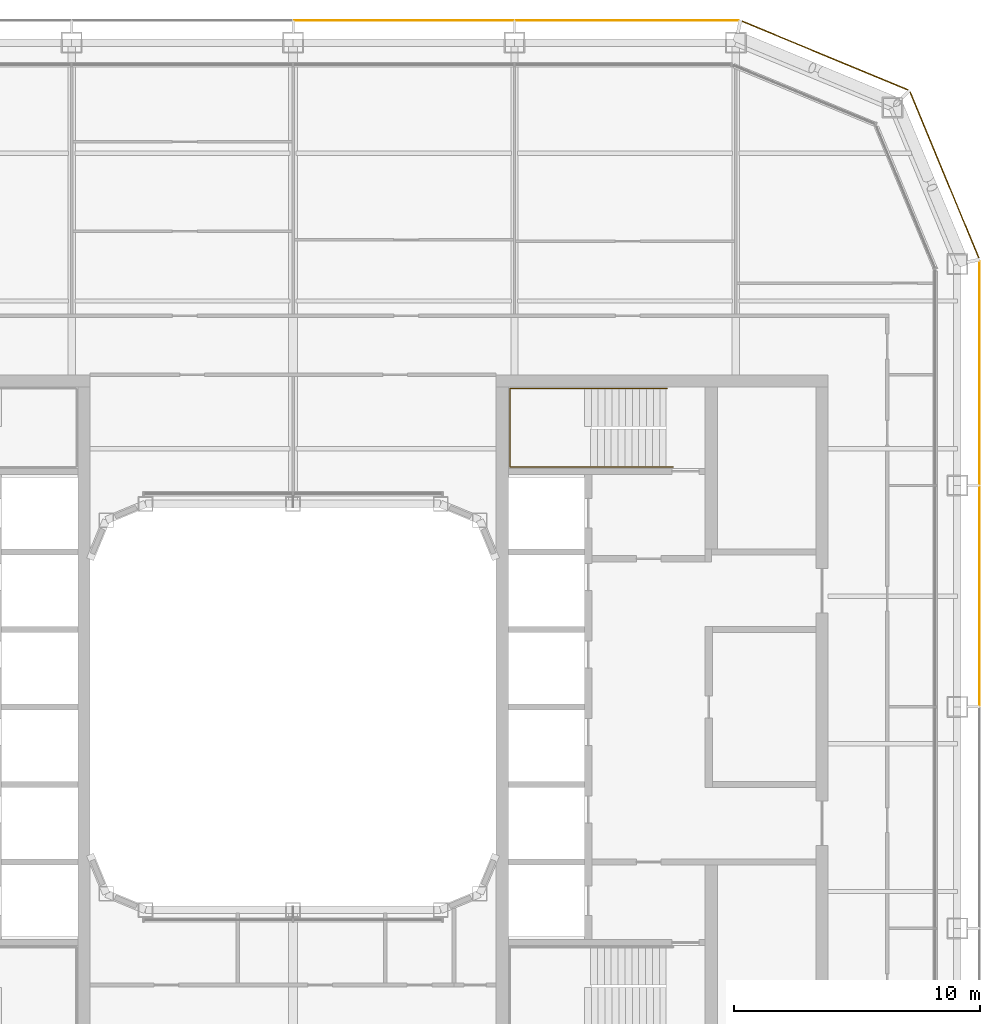
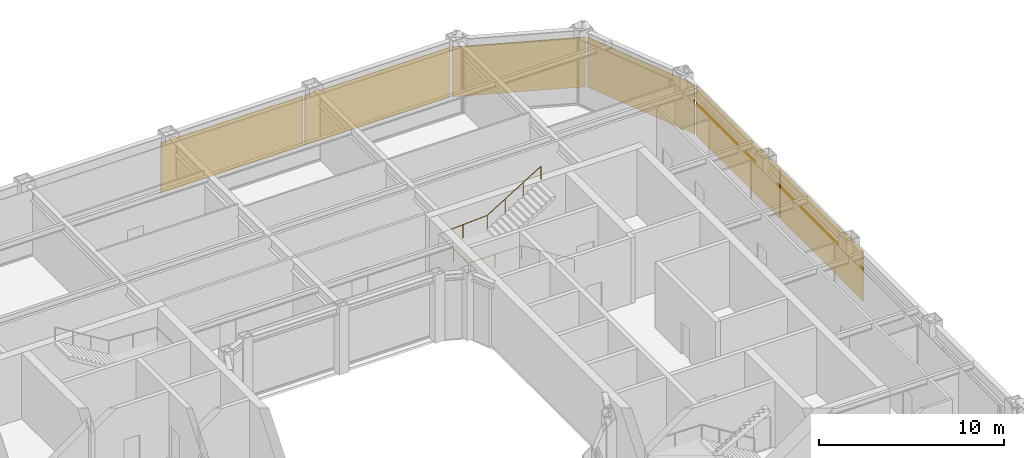
# One storey, part 19 of 19: 6 coverings, 1 railing.
"""IFC4 building model written with IfcOpenShell, lengths in metres."""

from ifc_helpers import new_model, si_unit, direction, frame, origin, origin_2d, place, context, subcontext, project, spatial, rectangle, circle, extrude, material, layer, layer_set, type_object, element, save


model = new_model("IFC4")

# Units and contexts
model_context = context("Model", 3, precision=1e-05, world=origin(), true_north=direction((0.0, 1.0)))
body_context = subcontext(model_context, "Body", "Model", "MODEL_VIEW")
ifc_project = project(units=[si_unit("LENGTHUNIT", "METRE"), si_unit("AREAUNIT", "SQUARE_METRE"), si_unit("VOLUMEUNIT", "CUBIC_METRE"), si_unit("PLANEANGLEUNIT", "RADIAN"), si_unit("MASSUNIT", "GRAM", prefix="KILO")], contexts=[model_context])

# Site, building, storey
site_placement = place(None, origin())
site = spatial("IfcSite", under=ifc_project, at=site_placement, CompositionType="ELEMENT")
building_placement = place(site_placement, origin())
building = spatial("IfcBuilding", under=site, at=building_placement, Name="Siwar Civic Tower", CompositionType="ELEMENT")
storey_placement = place(building_placement, frame((0.0, 0.0, 210.699951171875)))
storey = spatial("IfcBuildingStorey", under=building, at=storey_placement, Name="L45", CompositionType="ELEMENT", Elevation=210.699951171875)

# Railing
ifc_material_1 = material(Name="Stainless steel", Category="steel")
railing_type = type_object("IfcRailingType", Name="CORE-STAIR-HANDRAIL", PredefinedType="HANDRAIL", material=ifc_material_1)
railing_placement = place(storey_placement, frame((15.449951171875, 9.758056640625, 0.173095703125)))
element("IfcRailing", 1, at=railing_placement, inside=storey, type_object=railing_type, Name="Stair handrail ST3", PredefinedType="HANDRAIL", context=body_context, shape_type="SweptSolid", body=[
    extrude(circle(Radius=0.02001953125, at=origin_2d()), frame((0.0, 0.0, 0.8798828125), z_axis=(-0.847063342986, 0.0, 0.531491950051), x_axis=(0.0, -1.0, 0.0)), (0.0, 0.0, 1.0), 3.90771484375),
    extrude(circle(Radius=0.02001953125, at=origin_2d()), frame((-3.31005859375, 0.0, 2.956787109375), z_axis=(-1.0, 0.0, 0.0), x_axis=(0.0, -1.0, 0.0)), (0.0, 0.0, 1.0), 3.331787109375),
    extrude(circle(Radius=0.02001953125, at=origin_2d()), frame((-6.641845703125, 0.0, 2.956787109375), z_axis=(0.0, 1.0, 0.0), x_axis=(-1.0, 0.0, 0.0)), (0.0, 0.0, 1.0), 3.183837890625),
    extrude(circle(Radius=0.02001953125, at=origin_2d()), frame((-6.641845703125, 3.183837890625, 2.956787109375), z_axis=(0.99837434197, 0.0, 0.056997134106), x_axis=(0.0, 1.0, 0.0)), (0.0, 0.0, 1.0), 3.036865234375),
    extrude(circle(Radius=0.02001953125, at=origin_2d()), frame((-3.60986328125, 3.183837890625, 3.1298828125), z_axis=(0.850606129759, 0.0, 0.525803396734), x_axis=(0.0, 1.0, 0.0)), (0.0, 0.0, 1.0), 3.949951171875),
    extrude(circle(Radius=0.02001953125, at=origin_2d()), origin(), (0.0, 0.0, 1.0), 0.85986328125),
    extrude(circle(Radius=0.02001953125, at=origin_2d()), frame((-1.103271484375, 0.0, 0.6923828125)), (0.0, 0.0, 1.0), 0.85986328125),
    extrude(circle(Radius=0.02001953125, at=origin_2d()), frame((-2.206787109375, 0.0, 1.384521484375)), (0.0, 0.0, 1.0), 0.85986328125),
    extrude(circle(Radius=0.02001953125, at=origin_2d()), frame((-3.31005859375, 0.0, 2.076904296875)), (0.0, 0.0, 1.0), 0.85986328125),
    extrude(circle(Radius=0.02001953125, at=origin_2d()), frame((-4.97607421875, 0.0, 2.076904296875)), (0.0, 0.0, 1.0), 0.85986328125),
    extrude(circle(Radius=0.02001953125, at=origin_2d()), frame((-6.641845703125, 0.0, 2.076904296875)), (0.0, 0.0, 1.0), 0.85986328125),
    extrude(circle(Radius=0.02001953125, at=origin_2d()), frame((-6.641845703125, 1.591796875, 2.076904296875)), (0.0, 0.0, 1.0), 0.85986328125),
    extrude(circle(Radius=0.02001953125, at=origin_2d()), frame((-6.641845703125, 3.183837890625, 2.076904296875)), (0.0, 0.0, 1.0), 0.85986328125),
    extrude(circle(Radius=0.02001953125, at=origin_2d()), frame((-5.1259765625, 3.183837890625, 2.16357421875)), (0.0, 0.0, 1.0), 0.85986328125),
    extrude(circle(Radius=0.02001953125, at=origin_2d()), frame((-3.60986328125, 3.183837890625, 2.25)), (0.0, 0.0, 1.0), 0.85986328125),
    extrude(circle(Radius=0.02001953125, at=origin_2d()), frame((-2.489990234375, 3.183837890625, 2.9423828125)), (0.0, 0.0, 1.0), 0.85986328125),
    extrude(circle(Radius=0.02001953125, at=origin_2d()), frame((-1.369873046875, 3.183837890625, 3.634521484375)), (0.0, 0.0, 1.0), 0.85986328125),
    extrude(circle(Radius=0.02001953125, at=origin_2d()), frame((-0.25, 3.183837890625, 4.326904296875)), (0.0, 0.0, 1.0), 0.85986328125),
])

# Coverings
ifc_material_2 = material(Name="Perforated aluminium cassette, pale metal", Category="aluminium")
ifc_layer = layer(ifc_material_2, 0.0400390625)
ifc_layer_set = layer_set([ifc_layer], Name="Perforated aluminium cassette, pale metal")
covering_type = type_object("IfcCoveringType", Name="ENV-OUTER SKIN OS-1", PredefinedType="CLADDING", material=ifc_layer_set)
covering_1_placement = place(storey_placement, frame((27.89990234375, 4.5, -0.14990234375), z_axis=(0.0, 0.0, 1.0), x_axis=(0.0, 1.0, 0.0)))
element("IfcCovering", 2, at=covering_1_placement, inside=storey, type_object=covering_type, Name="OUTER SKIN OS-1 E 3", PredefinedType="CLADDING", context=body_context, shape_type="SweptSolid", body=[
    extrude(rectangle(XDim=8.89990234375, YDim=0.0400390625, at=origin_2d()), origin(), (0.0, 0.0, 1.0), 3.300048828125),
])
covering_2_placement = place(storey_placement, frame((27.89990234375, 13.57958984375, -0.14990234375), z_axis=(0.0, 0.0, 1.0), x_axis=(0.0, 1.0, 0.0)))
element("IfcCovering", 3, at=covering_2_placement, inside=storey, type_object=covering_type, Name="OUTER SKIN OS-1 E 4", PredefinedType="CLADDING", context=body_context, shape_type="SweptSolid", body=[
    extrude(rectangle(XDim=9.05908203125, YDim=0.0400390625, at=origin_2d()), origin(), (0.0, 0.0, 1.0), 3.300048828125),
])
for number, where, z_axis, x_axis, name in (
    (4, (26.476318359375, 21.615966796875, -0.14990234375), (0.0, 0.0, 1.0), (-0.382683432365, 0.923879532511, 0.0), "OUTER SKIN OS-1 NE1 1"),
    (5, (21.615966796875, 26.476318359375, -0.14990234375), (0.0, 0.0, 1.0), (-0.923879532511, 0.382683432365, 0.0), "OUTER SKIN OS-1 NE2 1"),
):
    element("IfcCovering", number, at=place(storey_placement, frame(where, z_axis=z_axis, x_axis=x_axis)), inside=storey, type_object=covering_type, Name=name, PredefinedType="CLADDING", context=body_context, shape_type="SweptSolid", body=[
        extrude(rectangle(XDim=7.300048828125, YDim=0.0400390625, at=origin_2d()), origin(), (0.0, 0.0, 1.0), 3.300048828125),
    ])
covering_3_placement = place(storey_placement, frame((13.57958984375, 27.89990234375, -0.14990234375), z_axis=(0.0, 0.0, 1.0), x_axis=(-1.0, 0.0, 0.0)))
element("IfcCovering", 6, at=covering_3_placement, inside=storey, type_object=covering_type, Name="OUTER SKIN OS-1 N 1", PredefinedType="CLADDING", context=body_context, shape_type="SweptSolid", body=[
    extrude(rectangle(XDim=9.05908203125, YDim=0.0400390625, at=origin_2d()), origin(), (0.0, 0.0, 1.0), 3.300048828125),
])
covering_4_placement = place(storey_placement, frame((4.5, 27.89990234375, -0.14990234375), z_axis=(0.0, 0.0, 1.0), x_axis=(-1.0, 0.0, 0.0)))
element("IfcCovering", 7, at=covering_4_placement, inside=storey, type_object=covering_type, Name="OUTER SKIN OS-1 N 2", PredefinedType="CLADDING", context=body_context, shape_type="SweptSolid", body=[
    extrude(rectangle(XDim=8.89990234375, YDim=0.0400390625, at=origin_2d()), origin(), (0.0, 0.0, 1.0), 3.300048828125),
])

save(model, "model.ifc")
